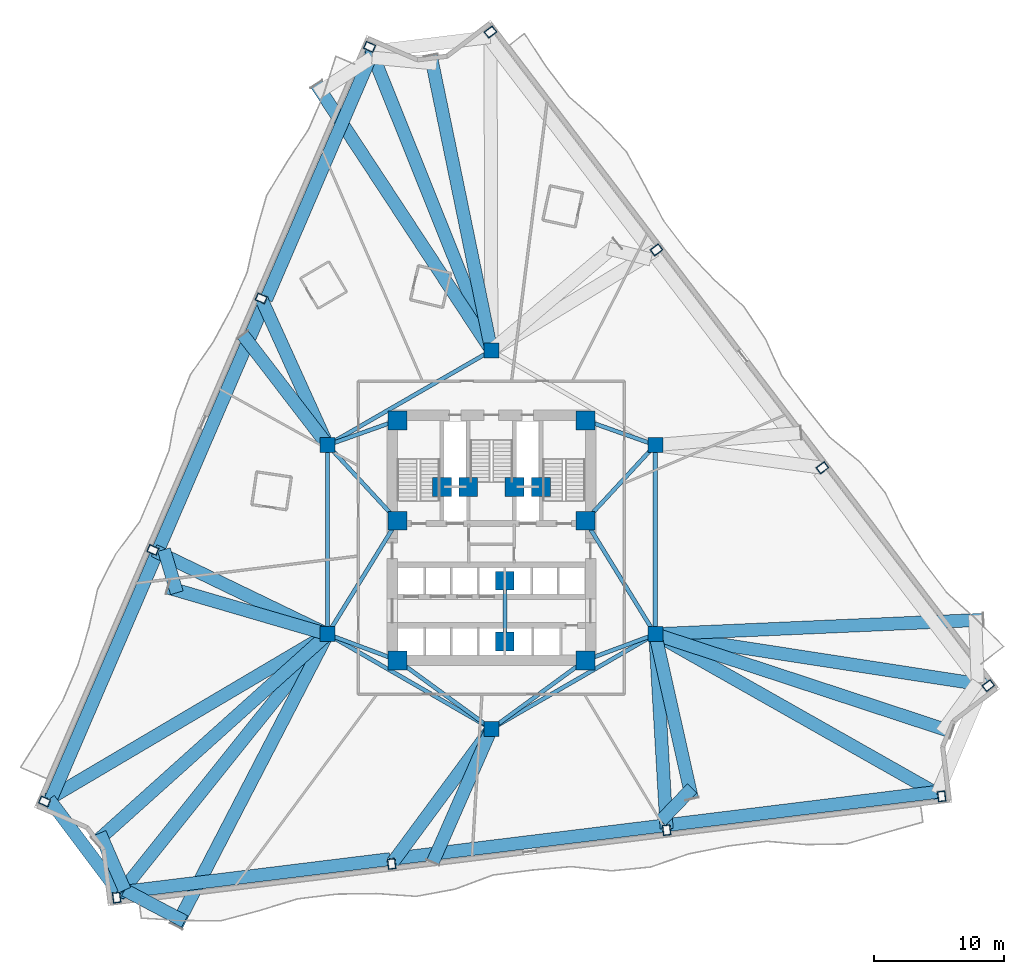
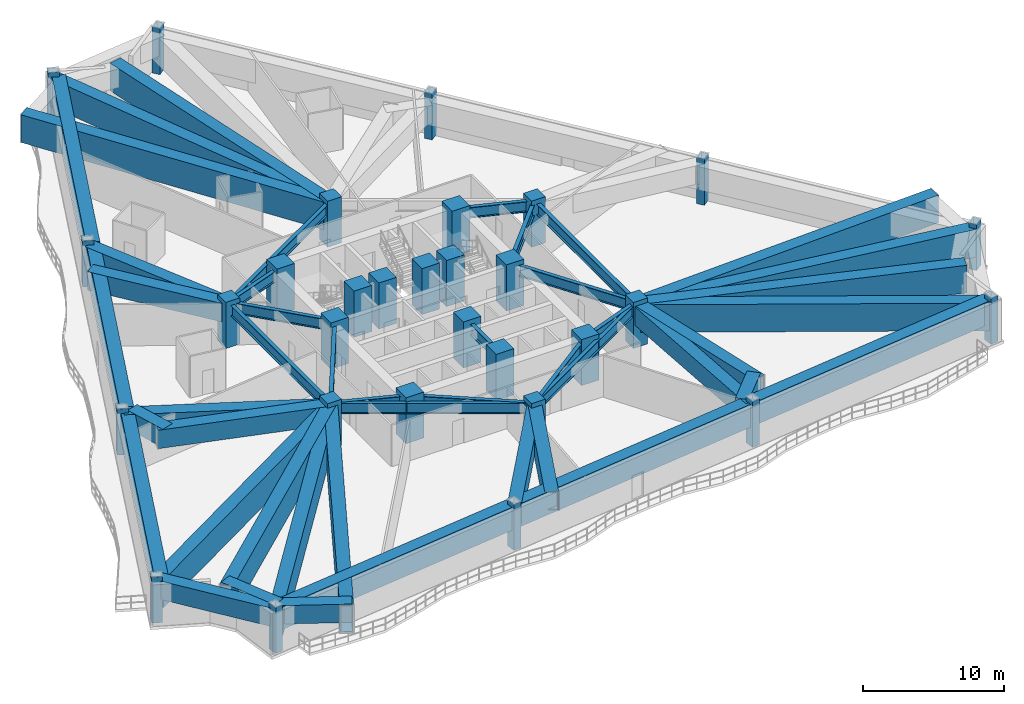
# One storey, part 1 of 14: 46 beams, 30 columns.
"""IFC4 building model written with IfcOpenShell, lengths in metres."""

from ifc_helpers import new_model, si_unit, direction, frame, origin, origin_2d, place, context, subcontext, project, spatial, rectangle, hollow_rectangle, i_section, extrude, material, material_profile, profile_set, type_object, element, save


model = new_model("IFC4")

# Units and contexts
model_context = context("Model", 3, precision=1e-05, world=origin(), true_north=direction((0.0, 1.0)))
body_context = subcontext(model_context, "Body", "Model", "MODEL_VIEW")
ifc_project = project(units=[si_unit("LENGTHUNIT", "METRE"), si_unit("AREAUNIT", "SQUARE_METRE"), si_unit("VOLUMEUNIT", "CUBIC_METRE"), si_unit("PLANEANGLEUNIT", "RADIAN"), si_unit("MASSUNIT", "GRAM", prefix="KILO")], contexts=[model_context])

# Site, building, storey
site_placement = place(None, origin())
site = spatial("IfcSite", under=ifc_project, at=site_placement, CompositionType="ELEMENT")
building_placement = place(site_placement, origin())
building = spatial("IfcBuilding", under=site, at=building_placement, Name="Apsidion Concourse Tower", CompositionType="ELEMENT")
storey_placement = place(building_placement, frame((0.0, 0.0, 91.0)))
storey = spatial("IfcBuildingStorey", under=building, at=storey_placement, Name="L20", CompositionType="ELEMENT", Elevation=91.0)

# Columns
ifc_material_1 = material(Name="Structural steel ASTM A572 Grade 50", Category="steel")
ifc_material_profile_1 = material_profile(ifc_material_1, hollow_rectangle(XDim=0.60009765625, YDim=0.800048828125, WallThickness=0.050048828125, at=origin_2d()), Name="BOX800X600X50")
ifc_profile_set_1 = profile_set([ifc_material_profile_1], Name="Structural steel ASTM A572 Grade 50")
column_type_1 = type_object("IfcColumnType", Name="COL-BOX-800", PredefinedType="COLUMN", material=ifc_profile_set_1)
for number, where, z_axis, x_axis, name in (
    (1, (-9.34423828125, 37.77685546875, 0.0), (0.0, 0.0, 1.0), (0.395545502563, 0.918446381343, 0.0), "L20 Rotated Perimeter Column PC01"),
    (2, (-17.64794921875, 18.49462890625, 0.0), (0.0, 0.0, 1.0), (0.395545502563, 0.918446381343, 0.0), "L20 Rotated Perimeter Column PC02"),
    (3, (-25.95166015625, -0.787353515625, 0.0), (0.0, 0.0, 1.0), (0.395545502563, 0.918446381343, 0.0), "L20 Rotated Perimeter Column PC03"),
    (4, (-34.25537109375, -20.069580078125, 0.0), (0.0, 0.0, 1.0), (0.395545502563, 0.918446381343, 0.0), "L20 Rotated Perimeter Column PC04"),
    (5, (-28.72802734375, -27.4443359375, 0.0), (0.0, 0.0, 1.0), (0.992546151641, 0.121869343405, 0.0), "L20 Rotated Perimeter Column PC05"),
    (6, (-7.647216796875, -24.85595703125, 0.0), (0.0, 0.0, 1.0), (0.992546151641, 0.121869343405, 0.0), "L20 Rotated Perimeter Column PC06"),
    (7, (13.433349609375, -22.267578125, 0.0), (0.0, 0.0, 1.0), (0.992546151641, 0.121869343405, 0.0), "L20 Rotated Perimeter Column PC07"),
    (8, (34.51416015625, -19.67919921875, 0.0), (0.0, 0.0, 1.0), (0.992546151641, 0.121869343405, 0.0), "L20 Rotated Perimeter Column PC08"),
    (9, (38.093017578125, -11.186279296875, 0.0), (0.0, 0.0, 1.0), (-0.605988400266, 0.795473480855, 0.0), "L20 Rotated Perimeter Column PC09"),
    (10, (25.371337890625, 5.514404296875, 0.0), (0.0, 0.0, 1.0), (-0.605988400266, 0.795473480855, 0.0), "L20 Rotated Perimeter Column PC10"),
    (11, (12.6494140625, 22.214599609375, 0.0), (0.0, 0.0, 1.0), (-0.605988400266, 0.795473480855, 0.0), "L20 Rotated Perimeter Column PC11"),
    (12, (-0.072265625, 38.915283203125, 0.0), (0.0, 0.0, 1.0), (-0.605988400266, 0.795473480855, 0.0), "L20 Rotated Perimeter Column PC12"),
):
    element("IfcColumn", number, at=place(storey_placement, frame(where, z_axis=z_axis, x_axis=x_axis)), inside=storey, type_object=column_type_1, Name=name, PredefinedType="COLUMN", context=body_context, shape_type="SweptSolid", body=[
        extrude(hollow_rectangle(XDim=0.60009765625, YDim=0.800048828125, WallThickness=0.050048828125, at=origin_2d()), origin(), (0.0, 0.0, 1.0), 4.0),
    ])
ifc_material_2 = material(Name="Concrete C50/60", Category="concrete")
ifc_material_profile_2 = material_profile(ifc_material_2, rectangle(XDim=1.14990234375, YDim=1.14990234375, at=origin_2d()), Name="RC 1150x1150")
ifc_profile_set_2 = profile_set([ifc_material_profile_2], Name="Concrete C50/60")
column_type_2 = type_object("IfcColumnType", Name="COL-RC-1150", PredefinedType="COLUMN", material=ifc_profile_set_2)
for number, where, z_axis, x_axis, name in (
    (13, (-12.56005859375, -7.25, 0.0), (0.0, 0.0, 1.0), (1.0, 0.0, 0.0), "L20 Interior Spine Column IC1"),
    (14, (12.56005859375, -7.25, 0.0), (0.0, 0.0, 1.0), (1.0, 0.0, 0.0), "L20 Interior Spine Column IC2"),
    (15, (12.56005859375, 7.25, 0.0), (0.0, 0.0, 1.0), (1.0, 0.0, 0.0), "L20 Interior Spine Column IC3"),
    (16, (0.0, 14.5, 0.0), (0.0, 0.0, 1.0), (1.0, 0.0, 0.0), "L20 Interior Spine Column IC4"),
    (17, (-12.56005859375, 7.25, 0.0), (0.0, 0.0, 1.0), (1.0, 0.0, 0.0), "L20 Interior Spine Column IC5"),
    (18, (0.0, -14.5, 0.0), (0.0, 0.0, 1.0), (1.0, 0.0, 0.0), "L20 Interior Spine Column IC6"),
):
    element("IfcColumn", number, at=place(storey_placement, frame(where, z_axis=z_axis, x_axis=x_axis)), inside=storey, type_object=column_type_2, Name=name, PredefinedType="COLUMN", context=body_context, shape_type="SweptSolid", body=[
        extrude(rectangle(XDim=1.14990234375, YDim=1.14990234375, at=origin_2d()), origin(), (0.0, 0.0, 1.0), 4.0),
    ])
ifc_material_3 = material(Name="Concrete C60/75", Category="concrete")
ifc_material_profile_3 = material_profile(ifc_material_3, rectangle(XDim=1.449951171875, YDim=1.449951171875, at=origin_2d()), Name="RC 1450x1450")
ifc_profile_set_3 = profile_set([ifc_material_profile_3], Name="Concrete C60/75")
column_type_3 = type_object("IfcColumnType", Name="COL-RC-1450", PredefinedType="COLUMN", material=ifc_profile_set_3)
for number, where, z_axis, x_axis, name in (
    (19, (-7.199951171875, -9.25, 0.0), (0.0, 0.0, 1.0), (1.0, 0.0, 0.0), "L20 Core Super-Column SC1"),
    (20, (7.199951171875, -9.25, 0.0), (0.0, 0.0, 1.0), (1.0, 0.0, 0.0), "L20 Core Super-Column SC2"),
    (21, (7.199951171875, 1.449951171875, 0.0), (0.0, 0.0, 1.0), (1.0, 0.0, 0.0), "L20 Core Super-Column SC3"),
    (22, (7.199951171875, 9.14990234375, 0.0), (0.0, 0.0, 1.0), (1.0, 0.0, 0.0), "L20 Core Super-Column SC4"),
    (23, (-7.199951171875, 9.14990234375, 0.0), (0.0, 0.0, 1.0), (1.0, 0.0, 0.0), "L20 Core Super-Column SC5"),
    (24, (-7.199951171875, 1.449951171875, 0.0), (0.0, 0.0, 1.0), (1.0, 0.0, 0.0), "L20 Core Super-Column SC6"),
    (25, (-3.800048828125, 4.050048828125, 0.0), (0.0, 0.0, 1.0), (1.0, 0.0, 0.0), "L20 Core Super-Column CC1"),
    (26, (3.800048828125, 4.050048828125, 0.0), (0.0, 0.0, 1.0), (1.0, 0.0, 0.0), "L20 Core Super-Column CC2"),
    (27, (-1.77490234375, 4.050048828125, 0.0), (0.0, 0.0, 1.0), (1.0, 0.0, 0.0), "L20 Core Super-Column CC3"),
    (28, (1.77490234375, 4.050048828125, 0.0), (0.0, 0.0, 1.0), (1.0, 0.0, 0.0), "L20 Core Super-Column CC4"),
    (29, (1.02490234375, -3.14990234375, 0.0), (0.0, 0.0, 1.0), (1.0, 0.0, 0.0), "L20 Core Super-Column CC5"),
    (30, (1.02490234375, -7.800048828125, 0.0), (0.0, 0.0, 1.0), (1.0, 0.0, 0.0), "L20 Core Super-Column CC6"),
):
    element("IfcColumn", number, at=place(storey_placement, frame(where, z_axis=z_axis, x_axis=x_axis)), inside=storey, type_object=column_type_3, Name=name, PredefinedType="COLUMN", context=body_context, shape_type="SweptSolid", body=[
        extrude(rectangle(XDim=1.449951171875, YDim=1.449951171875, at=origin_2d()), origin(), (0.0, 0.0, 1.0), 4.0),
    ])

# Beams
ifc_material_4 = material(Name="Structural steel ASTM A992 Grade 50", Category="steel")
ifc_material_profile_4 = material_profile(ifc_material_4, i_section(OverallWidth=0.31005859375, OverallDepth=0.931884765625, WebThickness=0.02099609375, FlangeThickness=0.034423828125, at=origin_2d()), Name="W36X210")
ifc_profile_set_4 = profile_set([ifc_material_profile_4], Name="Structural steel ASTM A992 Grade 50")
beam_type_1 = type_object("IfcBeamType", Name="BM-G-W36", PredefinedType="USERDEFINED", material=ifc_profile_set_4)
beam_1_placement = place(storey_placement, frame((-12.185302734375, -7.389892578125, 3.134033203125), z_axis=(0.936913021145, -0.349562570664, 0.0), x_axis=(0.349562570664, 0.936913021145, 0.0)))
element("IfcBeam", 31, at=beam_1_placement, inside=storey, type_object=beam_type_1, Name="L20 Core Coupling Girder IC1-SC1", ObjectType="GIRDER", PredefinedType="USERDEFINED", context=body_context, shape_type="SweptSolid", body=[
    extrude(i_section(OverallWidth=0.31005859375, OverallDepth=0.931884765625, WebThickness=0.02099609375, FlangeThickness=0.034423828125, at=origin_2d()), origin(), (0.0, 0.0, 1.0), 4.921142578125),
])
beam_2_placement = place(storey_placement, frame((-12.35009765625, -6.909423828125, 3.134033203125), z_axis=(0.524524009763, 0.851395656074, 0.0), x_axis=(-0.851395656074, 0.524524009763, 0.0)))
element("IfcBeam", 32, at=beam_2_placement, inside=storey, type_object=beam_type_1, Name="L20 Core Coupling Girder IC1-SC6", ObjectType="GIRDER", PredefinedType="USERDEFINED", context=body_context, shape_type="SweptSolid", body=[
    extrude(i_section(OverallWidth=0.31005859375, OverallDepth=0.931884765625, WebThickness=0.02099609375, FlangeThickness=0.034423828125, at=origin_2d()), origin(), (0.0, 0.0, 1.0), 9.41845703125),
])
beam_3_placement = place(storey_placement, frame((12.185302734375, -7.389892578125, 3.134033203125), z_axis=(-0.936913021145, -0.349562570664, 0.0), x_axis=(0.349562570664, -0.936913021145, 0.0)))
element("IfcBeam", 33, at=beam_3_placement, inside=storey, type_object=beam_type_1, Name="L20 Core Coupling Girder IC2-SC2", ObjectType="GIRDER", PredefinedType="USERDEFINED", context=body_context, shape_type="SweptSolid", body=[
    extrude(i_section(OverallWidth=0.31005859375, OverallDepth=0.931884765625, WebThickness=0.02099609375, FlangeThickness=0.034423828125, at=origin_2d()), origin(), (0.0, 0.0, 1.0), 4.921142578125),
])
beam_4_placement = place(storey_placement, frame((12.35009765625, -6.909423828125, 3.134033203125), z_axis=(-0.524524009763, 0.851395656074, 0.0), x_axis=(-0.851395656074, -0.524524009763, 0.0)))
element("IfcBeam", 34, at=beam_4_placement, inside=storey, type_object=beam_type_1, Name="L20 Core Coupling Girder IC2-SC3", ObjectType="GIRDER", PredefinedType="USERDEFINED", context=body_context, shape_type="SweptSolid", body=[
    extrude(i_section(OverallWidth=0.31005859375, OverallDepth=0.931884765625, WebThickness=0.02099609375, FlangeThickness=0.034423828125, at=origin_2d()), origin(), (0.0, 0.0, 1.0), 9.41845703125),
])
beam_5_placement = place(storey_placement, frame((12.28857421875, 6.956298828125, 3.134033203125), z_axis=(-0.678712876106, -0.73440372535, 0.0), x_axis=(0.73440372535, -0.678712876106, 0.0)))
element("IfcBeam", 35, at=beam_5_placement, inside=storey, type_object=beam_type_1, Name="L20 Core Coupling Girder IC3-SC3", ObjectType="GIRDER", PredefinedType="USERDEFINED", context=body_context, shape_type="SweptSolid", body=[
    extrude(i_section(OverallWidth=0.31005859375, OverallDepth=0.931884765625, WebThickness=0.02099609375, FlangeThickness=0.034423828125, at=origin_2d()), origin(), (0.0, 0.0, 1.0), 7.097412109375),
])
beam_6_placement = place(storey_placement, frame((12.18310546875, 7.383544921875, 3.134033203125), z_axis=(-0.942533844539, 0.334110688094, 0.0), x_axis=(-0.334110688094, -0.942533844539, 0.0)))
element("IfcBeam", 36, at=beam_6_placement, inside=storey, type_object=beam_type_1, Name="L20 Core Coupling Girder IC3-SC4", ObjectType="GIRDER", PredefinedType="USERDEFINED", context=body_context, shape_type="SweptSolid", body=[
    extrude(i_section(OverallWidth=0.31005859375, OverallDepth=0.931884765625, WebThickness=0.02099609375, FlangeThickness=0.034423828125, at=origin_2d()), origin(), (0.0, 0.0, 1.0), 4.886962890625),
])
beam_7_placement = place(storey_placement, frame((-12.28857421875, 6.956298828125, 3.134033203125), z_axis=(0.678712876106, -0.73440372535, 0.0), x_axis=(0.73440372535, 0.678712876106, 0.0)))
element("IfcBeam", 37, at=beam_7_placement, inside=storey, type_object=beam_type_1, Name="L20 Core Coupling Girder IC5-SC6", ObjectType="GIRDER", PredefinedType="USERDEFINED", context=body_context, shape_type="SweptSolid", body=[
    extrude(i_section(OverallWidth=0.31005859375, OverallDepth=0.931884765625, WebThickness=0.02099609375, FlangeThickness=0.034423828125, at=origin_2d()), origin(), (0.0, 0.0, 1.0), 7.097412109375),
])
beam_8_placement = place(storey_placement, frame((-12.18310546875, 7.383544921875, 3.134033203125), z_axis=(0.942533844539, 0.334110688094, 0.0), x_axis=(-0.334110688094, 0.942533844539, 0.0)))
element("IfcBeam", 38, at=beam_8_placement, inside=storey, type_object=beam_type_1, Name="L20 Core Coupling Girder IC5-SC5", ObjectType="GIRDER", PredefinedType="USERDEFINED", context=body_context, shape_type="SweptSolid", body=[
    extrude(i_section(OverallWidth=0.31005859375, OverallDepth=0.931884765625, WebThickness=0.02099609375, FlangeThickness=0.034423828125, at=origin_2d()), origin(), (0.0, 0.0, 1.0), 4.886962890625),
])
for number, where, z_axis, x_axis, name in (
    (39, (-0.3232421875, -14.264404296875, 3.134033203125), (-0.807993498909, 0.589191399905, 0.0), (-0.589191399905, -0.807993498909, 0.0), "L20 Core Coupling Girder IC6-SC1"),
    (40, (0.3232421875, -14.264404296875, 3.134033203125), (0.807993498909, 0.589191399905, 0.0), (-0.589191399905, 0.807993498909, 0.0), "L20 Core Coupling Girder IC6-SC2"),
):
    element("IfcBeam", number, at=place(storey_placement, frame(where, z_axis=z_axis, x_axis=x_axis)), inside=storey, type_object=beam_type_1, Name=name, ObjectType="GIRDER", PredefinedType="USERDEFINED", context=body_context, shape_type="SweptSolid", body=[
        extrude(i_section(OverallWidth=0.31005859375, OverallDepth=0.931884765625, WebThickness=0.02099609375, FlangeThickness=0.034423828125, at=origin_2d()), origin(), (0.0, 0.0, 1.0), 8.11083984375),
    ])
beam_9_placement = place(storey_placement, frame((-12.56005859375, -6.85009765625, 3.134033203125), z_axis=(0.0, 1.0, 0.0), x_axis=(-1.0, 0.0, 0.0)))
element("IfcBeam", 41, at=beam_9_placement, inside=storey, type_object=beam_type_1, Name="L20 Core Coupling Girder IC1-IC5", ObjectType="GIRDER", PredefinedType="USERDEFINED", context=body_context, shape_type="SweptSolid", body=[
    extrude(i_section(OverallWidth=0.31005859375, OverallDepth=0.931884765625, WebThickness=0.02099609375, FlangeThickness=0.034423828125, at=origin_2d()), origin(), (0.0, 0.0, 1.0), 13.7001953125),
])
beam_10_placement = place(storey_placement, frame((-12.213623046875, 7.449951171875, 3.134033203125), z_axis=(0.866070471464, 0.499921932364, 0.0), x_axis=(-0.499921932364, 0.866070471464, 0.0)))
element("IfcBeam", 42, at=beam_10_placement, inside=storey, type_object=beam_type_1, Name="L20 Core Coupling Girder IC5-IC4", ObjectType="GIRDER", PredefinedType="USERDEFINED", context=body_context, shape_type="SweptSolid", body=[
    extrude(i_section(OverallWidth=0.31005859375, OverallDepth=0.931884765625, WebThickness=0.02099609375, FlangeThickness=0.034423828125, at=origin_2d()), origin(), (0.0, 0.0, 1.0), 13.702392578125),
])
beam_11_placement = place(storey_placement, frame((12.56005859375, 6.85009765625, 3.134033203125), z_axis=(0.0, -1.0, 0.0), x_axis=(1.0, 0.0, 0.0)))
element("IfcBeam", 43, at=beam_11_placement, inside=storey, type_object=beam_type_1, Name="L20 Core Coupling Girder IC3-IC2", ObjectType="GIRDER", PredefinedType="USERDEFINED", context=body_context, shape_type="SweptSolid", body=[
    extrude(i_section(OverallWidth=0.31005859375, OverallDepth=0.931884765625, WebThickness=0.02099609375, FlangeThickness=0.034423828125, at=origin_2d()), origin(), (0.0, 0.0, 1.0), 13.7001953125),
])
for number, where, z_axis, x_axis, name in (
    (44, (12.213623046875, -7.449951171875, 3.134033203125), (-0.866070471464, -0.499921932364, 0.0), (0.499921932364, -0.866070471464, 0.0), "L20 Core Coupling Girder IC2-IC6"),
    (45, (-0.346435546875, -14.300048828125, 3.134033203125), (-0.866070471464, 0.499921932364, 0.0), (-0.499921932364, -0.866070471464, 0.0), "L20 Core Coupling Girder IC6-IC1"),
):
    element("IfcBeam", number, at=place(storey_placement, frame(where, z_axis=z_axis, x_axis=x_axis)), inside=storey, type_object=beam_type_1, Name=name, ObjectType="GIRDER", PredefinedType="USERDEFINED", context=body_context, shape_type="SweptSolid", body=[
        extrude(i_section(OverallWidth=0.31005859375, OverallDepth=0.931884765625, WebThickness=0.02099609375, FlangeThickness=0.034423828125, at=origin_2d()), origin(), (0.0, 0.0, 1.0), 13.702392578125),
    ])
beam_12_placement = place(storey_placement, frame((1.02490234375, -3.550048828125, 3.134033203125), z_axis=(0.0, -1.0, 0.0), x_axis=(1.0, 0.0, 0.0)))
element("IfcBeam", 46, at=beam_12_placement, inside=storey, type_object=beam_type_1, Name="L20 Core Coupling Girder CC5-CC6", ObjectType="GIRDER", PredefinedType="USERDEFINED", context=body_context, shape_type="SweptSolid", body=[
    extrude(i_section(OverallWidth=0.31005859375, OverallDepth=0.931884765625, WebThickness=0.02099609375, FlangeThickness=0.034423828125, at=origin_2d()), origin(), (0.0, 0.0, 1.0), 3.849853515625),
])
ifc_material_profile_5 = material_profile(ifc_material_1, hollow_rectangle(XDim=1.0, YDim=1.60009765625, WallThickness=0.074951171875, at=origin_2d()), Name="BOX1600X1000X75")
ifc_profile_set_5 = profile_set([ifc_material_profile_5], Name="Structural steel ASTM A572 Grade 50")
beam_type_2 = type_object("IfcBeamType", Name="BM-TR-1600", PredefinedType="USERDEFINED", material=ifc_profile_set_5)
beam_13_placement = place(storey_placement, frame((-33.9033203125, -19.905517578125, 2.800048828125), z_axis=(0.599723919289, -0.800206986118, 0.0), x_axis=(0.800206986118, 0.599723919289, 0.0)))
element("IfcBeam", 47, at=beam_13_placement, inside=storey, type_object=beam_type_2, Name="L20 Perimeter Spandrel Girder SP-04", ObjectType="GIRDER", PredefinedType="USERDEFINED", context=body_context, shape_type="SweptSolid", body=[
    extrude(hollow_rectangle(XDim=1.0, YDim=1.60009765625, WallThickness=0.074951171875, at=origin_2d()), origin(), (0.0, 0.0, 1.0), 9.056396484375),
])
beam_14_placement = place(storey_placement, frame((-12.650634765625, 7.450439453125, 2.800048828125), z_axis=(-0.412241720811, 0.911074510467, 0.0), x_axis=(-0.911074510467, -0.412241720811, 0.0)))
element("IfcBeam", 48, at=beam_14_placement, inside=storey, type_object=beam_type_2, Name="L20 Radial Floor Girder RAD-02", ObjectType="GIRDER", PredefinedType="USERDEFINED", context=body_context, shape_type="SweptSolid", body=[
    extrude(hollow_rectangle(XDim=1.0, YDim=1.60009765625, WallThickness=0.074951171875, at=origin_2d()), origin(), (0.0, 0.0, 1.0), 12.022216796875),
])
beam_15_placement = place(storey_placement, frame((-12.758056640625, -7.154296875, 2.800048828125), z_axis=(-0.900614830882, 0.434618138595, 0.0), x_axis=(-0.434618138595, -0.900614830882, 0.0)))
element("IfcBeam", 49, at=beam_15_placement, inside=storey, type_object=beam_type_2, Name="L20 Radial Floor Girder RAD-03", ObjectType="GIRDER", PredefinedType="USERDEFINED", context=body_context, shape_type="SweptSolid", body=[
    extrude(hollow_rectangle(XDim=1.0, YDim=1.60009765625, WallThickness=0.074951171875, at=origin_2d()), origin(), (0.0, 0.0, 1.0), 14.549560546875),
])
beam_16_placement = place(storey_placement, frame((-0.130615234375, -14.677001953125, 2.800048828125), z_axis=(-0.594033927991, -0.80443998682, 0.0), x_axis=(0.80443998682, -0.594033927991, 0.0)))
element("IfcBeam", 50, at=beam_16_placement, inside=storey, type_object=beam_type_2, Name="L20 Radial Floor Girder RAD-06", ObjectType="GIRDER", PredefinedType="USERDEFINED", context=body_context, shape_type="SweptSolid", body=[
    extrude(hollow_rectangle(XDim=1.0, YDim=1.60009765625, WallThickness=0.074951171875, at=origin_2d()), origin(), (0.0, 0.0, 1.0), 12.5537109375),
])
beam_17_placement = place(storey_placement, frame((12.57275390625, -7.469482421875, 2.800048828125), z_axis=(0.058054204486, -0.998313432416, 0.0), x_axis=(0.998313432416, 0.058054204486, 0.0)))
element("IfcBeam", 51, at=beam_17_placement, inside=storey, type_object=beam_type_2, Name="L20 Radial Floor Girder RAD-07", ObjectType="GIRDER", PredefinedType="USERDEFINED", context=body_context, shape_type="SweptSolid", body=[
    extrude(hollow_rectangle(XDim=1.0, YDim=1.60009765625, WallThickness=0.074951171875, at=origin_2d()), origin(), (0.0, 0.0, 1.0), 14.72314453125),
])
beam_18_placement = place(storey_placement, frame((-12.742919921875, 7.48779296875, 2.800048828125), z_axis=(-0.609280005367, 0.792955153247, 0.0), x_axis=(-0.792955153247, -0.609280005367, 0.0)))
element("IfcBeam", 52, at=beam_18_placement, inside=storey, type_object=beam_type_2, Name="L20 Block-Step Radial Transfer Girder NTR-02", ObjectType="GIRDER", PredefinedType="USERDEFINED", context=body_context, shape_type="SweptSolid", body=[
    extrude(hollow_rectangle(XDim=1.0, YDim=1.60009765625, WallThickness=0.074951171875, at=origin_2d()), origin(), (0.0, 0.0, 1.0), 10.355712890625),
])
beam_19_placement = place(storey_placement, frame((-12.847900390625, -7.165771484375, 2.800048828125), z_axis=(-0.959843629542, 0.280535571412, 0.0), x_axis=(-0.280535571412, -0.959843629542, 0.0)))
element("IfcBeam", 53, at=beam_19_placement, inside=storey, type_object=beam_type_2, Name="L20 Block-Step Radial Transfer Girder NTR-03", ObjectType="GIRDER", PredefinedType="USERDEFINED", context=body_context, shape_type="SweptSolid", body=[
    extrude(hollow_rectangle(XDim=1.0, YDim=1.60009765625, WallThickness=0.074951171875, at=origin_2d()), origin(), (0.0, 0.0, 1.0), 12.44482421875),
])
beam_20_placement = place(storey_placement, frame((-25.10205078125, -0.76171875, 2.800048828125), z_axis=(0.28741273523, -0.957806827929, 0.0), x_axis=(0.957806827929, 0.28741273523, 0.0)))
element("IfcBeam", 54, at=beam_20_placement, inside=storey, type_object=beam_type_2, Name="L20 Block-Step Perimeter Transfer Bridge NBR-03", ObjectType="GIRDER", PredefinedType="USERDEFINED", context=body_context, shape_type="SweptSolid", body=[
    extrude(hollow_rectangle(XDim=1.0, YDim=1.60009765625, WallThickness=0.074951171875, at=origin_2d()), origin(), (0.0, 0.0, 1.0), 3.453857421875),
])
beam_21_placement = place(storey_placement, frame((-28.113525390625, -26.857177734375, 2.800048828125), z_axis=(-0.399774425368, 0.916613554789, 0.0), x_axis=(-0.916613554789, -0.399774425368, 0.0)))
element("IfcBeam", 55, at=beam_21_placement, inside=storey, type_object=beam_type_2, Name="L20 Block-Step Perimeter Transfer Bridge NBR-04", ObjectType="GIRDER", PredefinedType="USERDEFINED", context=body_context, shape_type="SweptSolid", body=[
    extrude(hollow_rectangle(XDim=1.0, YDim=1.60009765625, WallThickness=0.074951171875, at=origin_2d()), origin(), (0.0, 0.0, 1.0), 4.759033203125),
])
beam_22_placement = place(storey_placement, frame((-28.113525390625, -26.857177734375, 2.800048828125), z_axis=(0.885060106489, -0.465476753341, 0.0), x_axis=(0.465476753341, 0.885060106489, 0.0)))
element("IfcBeam", 56, at=beam_22_placement, inside=storey, type_object=beam_type_2, Name="L20 Block-Step Perimeter Transfer Bridge NBR-05", ObjectType="GIRDER", PredefinedType="USERDEFINED", context=body_context, shape_type="SweptSolid", body=[
    extrude(hollow_rectangle(XDim=1.0, YDim=1.60009765625, WallThickness=0.074951171875, at=origin_2d()), origin(), (0.0, 0.0, 1.0), 5.186767578125),
])
beam_23_placement = place(storey_placement, frame((-0.12060546875, -14.774658203125, 2.800048828125), z_axis=(-0.401944117951, -0.91566419939, 0.0), x_axis=(0.91566419939, -0.401944117951, 0.0)))
element("IfcBeam", 57, at=beam_23_placement, inside=storey, type_object=beam_type_2, Name="L20 Block-Step Radial Transfer Girder NTR-06", ObjectType="GIRDER", PredefinedType="USERDEFINED", context=body_context, shape_type="SweptSolid", body=[
    extrude(hollow_rectangle(XDim=1.0, YDim=1.60009765625, WallThickness=0.074951171875, at=origin_2d()), origin(), (0.0, 0.0, 1.0), 10.866455078125),
])
beam_24_placement = place(storey_placement, frame((12.62548828125, -7.542724609375, 2.800048828125), z_axis=(0.217840681262, -0.975984342901, 0.0), x_axis=(0.975984342901, 0.217840681262, 0.0)))
element("IfcBeam", 58, at=beam_24_placement, inside=storey, type_object=beam_type_2, Name="L20 Block-Step Radial Transfer Girder NTR-07", ObjectType="GIRDER", PredefinedType="USERDEFINED", context=body_context, shape_type="SweptSolid", body=[
    extrude(hollow_rectangle(XDim=1.0, YDim=1.60009765625, WallThickness=0.074951171875, at=origin_2d()), origin(), (0.0, 0.0, 1.0), 12.608154296875),
])
beam_25_placement = place(storey_placement, frame((12.994384765625, -21.539794921875, 2.800048828125), z_axis=(0.693623985092, 0.720337259418, 0.0), x_axis=(-0.720337259418, 0.693623985092, 0.0)))
element("IfcBeam", 59, at=beam_25_placement, inside=storey, type_object=beam_type_2, Name="L20 Block-Step Perimeter Transfer Bridge NBR-07", ObjectType="GIRDER", PredefinedType="USERDEFINED", context=body_context, shape_type="SweptSolid", body=[
    extrude(hollow_rectangle(XDim=1.0, YDim=1.60009765625, WallThickness=0.074951171875, at=origin_2d()), origin(), (0.0, 0.0, 1.0), 3.445556640625),
])
ifc_material_profile_6 = material_profile(ifc_material_1, hollow_rectangle(XDim=1.0, YDim=2.0, WallThickness=0.080078125, at=origin_2d()), Name="BOX2000X1000X80")
ifc_profile_set_6 = profile_set([ifc_material_profile_6], Name="Structural steel ASTM A572 Grade 50")
beam_type_3 = type_object("IfcBeamType", Name="BM-TR-2000", PredefinedType="USERDEFINED", material=ifc_profile_set_6)
beam_26_placement = place(storey_placement, frame((-9.02685546875, 37.552978515625, 2.60009765625), z_axis=(-0.395530982048, -0.918452634729, 0.0), x_axis=(0.918452634729, -0.395530982048, 0.0)))
element("IfcBeam", 60, at=beam_26_placement, inside=storey, type_object=beam_type_3, Name="L20 Perimeter Spandrel Girder SP-01", ObjectType="GIRDER", PredefinedType="USERDEFINED", context=body_context, shape_type="SweptSolid", body=[
    extrude(hollow_rectangle(XDim=1.0, YDim=2.0, WallThickness=0.080078125, at=origin_2d()), origin(), (0.0, 0.0, 1.0), 20.833984375),
])
beam_27_placement = place(storey_placement, frame((-17.33056640625, 18.27099609375, 2.60009765625), z_axis=(-0.395526725073, -0.91845446798, 0.0), x_axis=(0.91845446798, -0.395526725073, 0.0)))
element("IfcBeam", 61, at=beam_27_placement, inside=storey, type_object=beam_type_3, Name="L20 Perimeter Spandrel Girder SP-02", ObjectType="GIRDER", PredefinedType="USERDEFINED", context=body_context, shape_type="SweptSolid", body=[
    extrude(hollow_rectangle(XDim=1.0, YDim=2.0, WallThickness=0.080078125, at=origin_2d()), origin(), (0.0, 0.0, 1.0), 20.834228515625),
])
beam_28_placement = place(storey_placement, frame((-25.63427734375, -1.01123046875, 2.60009765625), z_axis=(-0.395530982048, -0.918452634729, 0.0), x_axis=(0.918452634729, -0.395530982048, 0.0)))
element("IfcBeam", 62, at=beam_28_placement, inside=storey, type_object=beam_type_3, Name="L20 Perimeter Spandrel Girder SP-03", ObjectType="GIRDER", PredefinedType="USERDEFINED", context=body_context, shape_type="SweptSolid", body=[
    extrude(hollow_rectangle(XDim=1.0, YDim=2.0, WallThickness=0.080078125, at=origin_2d()), origin(), (0.0, 0.0, 1.0), 20.833984375),
])
beam_29_placement = place(storey_placement, frame((-28.695068359375, -27.0576171875, 2.60009765625), z_axis=(0.992545126816, 0.121877689645, 0.0), x_axis=(-0.121877689645, 0.992545126816, 0.0)))
element("IfcBeam", 63, at=beam_29_placement, inside=storey, type_object=beam_type_3, Name="L20 Perimeter Spandrel Girder SP-05", ObjectType="GIRDER", PredefinedType="USERDEFINED", context=body_context, shape_type="SweptSolid", body=[
    extrude(hollow_rectangle(XDim=1.0, YDim=2.0, WallThickness=0.080078125, at=origin_2d()), origin(), (0.0, 0.0, 1.0), 21.079345703125),
])
for number, where, z_axis, x_axis, name in (
    (64, (-7.6142578125, -24.468994140625, 2.60009765625), (0.992546355808, 0.12186768059, 0.0), (-0.12186768059, 0.992546355808, 0.0), "L20 Perimeter Spandrel Girder SP-06"),
    (65, (13.466552734375, -21.880615234375, 2.60009765625), (0.992546355808, 0.12186768059, 0.0), (-0.12186768059, 0.992546355808, 0.0), "L20 Perimeter Spandrel Girder SP-07"),
):
    element("IfcBeam", number, at=place(storey_placement, frame(where, z_axis=z_axis, x_axis=x_axis)), inside=storey, type_object=beam_type_3, Name=name, ObjectType="GIRDER", PredefinedType="USERDEFINED", context=body_context, shape_type="SweptSolid", body=[
        extrude(hollow_rectangle(XDim=1.0, YDim=2.0, WallThickness=0.080078125, at=origin_2d()), origin(), (0.0, 0.0, 1.0), 21.0791015625),
    ])
ifc_material_profile_7 = material_profile(ifc_material_1, hollow_rectangle(XDim=1.0, YDim=2.39990234375, WallThickness=0.080078125, at=origin_2d()), Name="BOX2400X1000X80")
ifc_profile_set_7 = profile_set([ifc_material_profile_7], Name="Structural steel ASTM A572 Grade 50")
beam_type_4 = type_object("IfcBeamType", Name="BM-TR-2400", PredefinedType="USERDEFINED", material=ifc_profile_set_7)
beam_30_placement = place(storey_placement, frame((-0.08203125, 14.7041015625, 2.39990234375), z_axis=(-0.372534415559, 0.928018377633, 0.0), x_axis=(-0.928018377633, -0.372534415559, 0.0)))
element("IfcBeam", 66, at=beam_30_placement, inside=storey, type_object=beam_type_4, Name="L20 Radial Floor Girder RAD-01", ObjectType="GIRDER", PredefinedType="USERDEFINED", context=body_context, shape_type="SweptSolid", body=[
    extrude(hollow_rectangle(XDim=1.0, YDim=2.39990234375, WallThickness=0.080078125, at=origin_2d()), origin(), (0.0, 0.0, 1.0), 24.762451171875),
])
beam_31_placement = place(storey_placement, frame((-12.74951171875, -7.36181640625, 2.39990234375), z_axis=(-0.860932584185, -0.508719063422, 0.0), x_axis=(0.508719063422, -0.860932584185, 0.0)))
element("IfcBeam", 67, at=beam_31_placement, inside=storey, type_object=beam_type_4, Name="L20 Radial Floor Girder RAD-04", ObjectType="GIRDER", PredefinedType="USERDEFINED", context=body_context, shape_type="SweptSolid", body=[
    extrude(hollow_rectangle(XDim=1.0, YDim=2.39990234375, WallThickness=0.080078125, at=origin_2d()), origin(), (0.0, 0.0, 1.0), 24.879638671875),
])
beam_32_placement = place(storey_placement, frame((-12.697509765625, -7.421630859375, 2.39990234375), z_axis=(-0.62498983099, -0.780632891415, 0.0), x_axis=(0.780632891415, -0.62498983099, 0.0)))
element("IfcBeam", 68, at=beam_32_placement, inside=storey, type_object=beam_type_4, Name="L20 Radial Floor Girder RAD-05", ObjectType="GIRDER", PredefinedType="USERDEFINED", context=body_context, shape_type="SweptSolid", body=[
    extrude(hollow_rectangle(XDim=1.0, YDim=2.39990234375, WallThickness=0.080078125, at=origin_2d()), origin(), (0.0, 0.0, 1.0), 25.54931640625),
])
beam_33_placement = place(storey_placement, frame((12.75146484375, -7.3583984375, 2.39990234375), z_axis=(0.870219432844, -0.492664326596, 0.0), x_axis=(0.492664326596, 0.870219432844, 0.0)))
element("IfcBeam", 69, at=beam_33_placement, inside=storey, type_object=beam_type_4, Name="L20 Radial Floor Girder RAD-08", ObjectType="GIRDER", PredefinedType="USERDEFINED", context=body_context, shape_type="SweptSolid", body=[
    extrude(hollow_rectangle(XDim=1.0, YDim=2.39990234375, WallThickness=0.080078125, at=origin_2d()), origin(), (0.0, 0.0, 1.0), 24.908447265625),
])
beam_34_placement = place(storey_placement, frame((12.77734375, -7.283447265625, 2.39990234375), z_axis=(0.988325080706, -0.152359885952, 0.0), x_axis=(0.152359885952, 0.988325080706, 0.0)))
element("IfcBeam", 70, at=beam_34_placement, inside=storey, type_object=beam_type_4, Name="L20 Radial Floor Girder RAD-09", ObjectType="GIRDER", PredefinedType="USERDEFINED", context=body_context, shape_type="SweptSolid", body=[
    extrude(hollow_rectangle(XDim=1.0, YDim=2.39990234375, WallThickness=0.080078125, at=origin_2d()), origin(), (0.0, 0.0, 1.0), 25.514892578125),
])
beam_35_placement = place(storey_placement, frame((-0.164794921875, 14.750732421875, 2.39990234375), z_axis=(-0.549229990256, 0.83567123787, 0.0), x_axis=(-0.83567123787, -0.549229990256, 0.0)))
element("IfcBeam", 71, at=beam_35_placement, inside=storey, type_object=beam_type_4, Name="L20 Block-Step Radial Transfer Girder NTR-01", ObjectType="GIRDER", PredefinedType="USERDEFINED", context=body_context, shape_type="SweptSolid", body=[
    extrude(hollow_rectangle(XDim=1.0, YDim=2.39990234375, WallThickness=0.080078125, at=origin_2d()), origin(), (0.0, 0.0, 1.0), 24.12255859375),
])
beam_36_placement = place(storey_placement, frame((-12.783203125, -7.450439453125, 2.39990234375), z_axis=(-0.74426933256, -0.667879600385, 0.0), x_axis=(0.667879600385, -0.74426933256, 0.0)))
element("IfcBeam", 72, at=beam_36_placement, inside=storey, type_object=beam_type_4, Name="L20 Block-Step Radial Transfer Girder NTR-04", ObjectType="GIRDER", PredefinedType="USERDEFINED", context=body_context, shape_type="SweptSolid", body=[
    extrude(hollow_rectangle(XDim=1.0, YDim=2.39990234375, WallThickness=0.080078125, at=origin_2d()), origin(), (0.0, 0.0, 1.0), 23.583251953125),
])
beam_37_placement = place(storey_placement, frame((-12.697998046875, -7.516357421875, 2.39990234375), z_axis=(-0.460216374195, -0.887806785806, 0.0), x_axis=(0.887806785806, -0.460216374195, 0.0)))
element("IfcBeam", 73, at=beam_37_placement, inside=storey, type_object=beam_type_4, Name="L20 Block-Step Radial Transfer Girder NTR-05", ObjectType="GIRDER", PredefinedType="USERDEFINED", context=body_context, shape_type="SweptSolid", body=[
    extrude(hollow_rectangle(XDim=1.0, YDim=2.39990234375, WallThickness=0.080078125, at=origin_2d()), origin(), (0.0, 0.0, 1.0), 24.888427734375),
])
beam_38_placement = place(storey_placement, frame((12.844970703125, -7.34375, 2.39990234375), z_axis=(0.94995987323, -0.312371956573, 0.0), x_axis=(0.312371956573, 0.94995987323, 0.0)))
element("IfcBeam", 74, at=beam_38_placement, inside=storey, type_object=beam_type_4, Name="L20 Block-Step Radial Transfer Girder NTR-08", ObjectType="GIRDER", PredefinedType="USERDEFINED", context=body_context, shape_type="SweptSolid", body=[
    extrude(hollow_rectangle(XDim=1.0, YDim=2.39990234375, WallThickness=0.080078125, at=origin_2d()), origin(), (0.0, 0.0, 1.0), 23.608154296875),
])
beam_39_placement = place(storey_placement, frame((12.859619140625, -7.23681640625, 2.39990234375), z_axis=(0.999033165111, 0.043962882172, 0.0), x_axis=(-0.043962882172, 0.999033165111, 0.0)))
element("IfcBeam", 75, at=beam_39_placement, inside=storey, type_object=beam_type_4, Name="L20 Block-Step Radial Transfer Girder NTR-09", ObjectType="GIRDER", PredefinedType="USERDEFINED", context=body_context, shape_type="SweptSolid", body=[
    extrude(hollow_rectangle(XDim=1.0, YDim=2.39990234375, WallThickness=0.080078125, at=origin_2d()), origin(), (0.0, 0.0, 1.0), 24.85107421875),
])
beam_40_placement = place(storey_placement, frame((-0.060302734375, 14.7939453125, 2.39990234375), z_axis=(-0.201336399842, 0.979522156002, 0.0), x_axis=(-0.979522156002, -0.201336399842, 0.0)))
element("IfcBeam", 76, at=beam_40_placement, inside=storey, type_object=beam_type_4, Name="L20 Block-Step Radial Transfer Girder NTR-12", ObjectType="GIRDER", PredefinedType="USERDEFINED", context=body_context, shape_type="SweptSolid", body=[
    extrude(hollow_rectangle(XDim=1.0, YDim=2.39990234375, WallThickness=0.080078125, at=origin_2d()), origin(), (0.0, 0.0, 1.0), 22.787109375),
])

save(model, "model.ifc")
